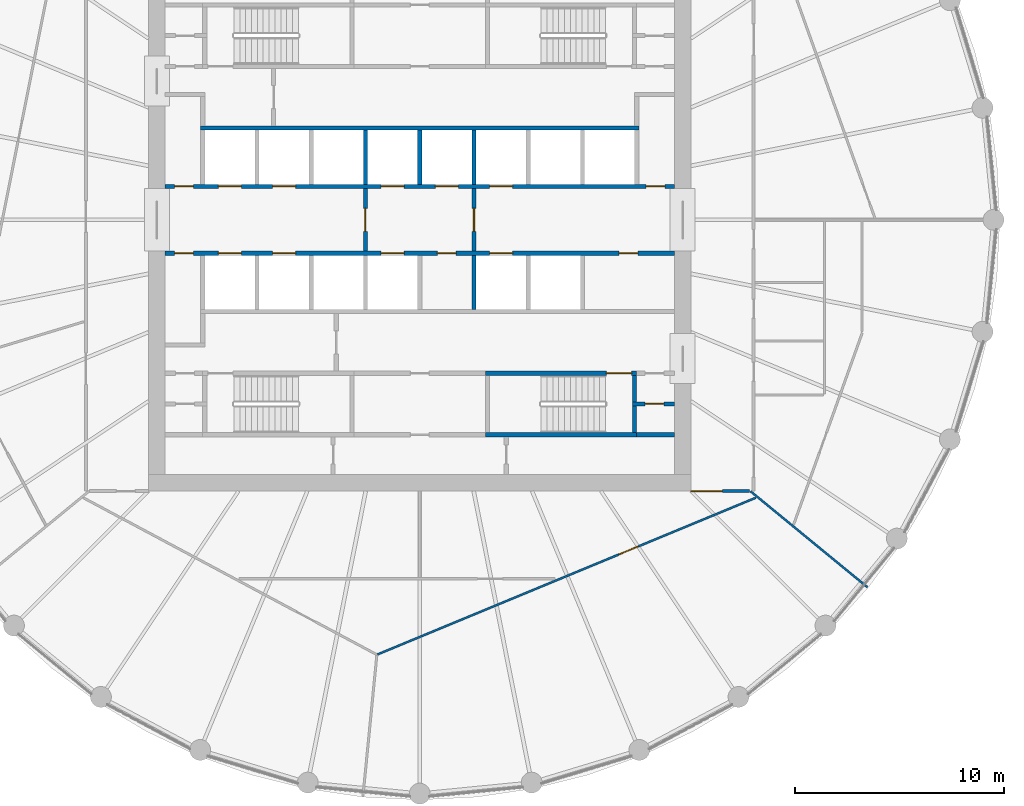
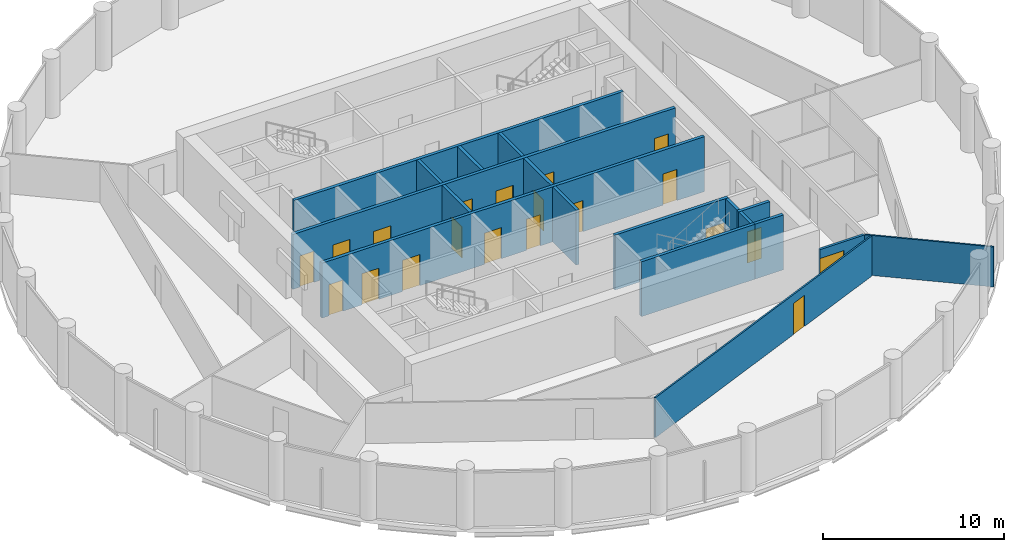
# One storey, part 5 of 8: 20 doors, 18 walls, 20 openings.
"""IFC4 building model written with IfcOpenShell, lengths in metres."""

from ifc_helpers import new_model, si_unit, direction, frame, frame_2d, origin, place, context, subcontext, project, spatial, polyline, rectangle, outline, extrude, material, layer, layer_set, type_object, element, fill, save


model = new_model("IFC4")

# Units and contexts
model_context = context("Model", 3, precision=1e-05, world=origin(), true_north=direction((0.0, 1.0)))
body_context = subcontext(model_context, "Body", "Model", "MODEL_VIEW")
ifc_project = project(units=[si_unit("LENGTHUNIT", "METRE"), si_unit("AREAUNIT", "SQUARE_METRE"), si_unit("VOLUMEUNIT", "CUBIC_METRE"), si_unit("PLANEANGLEUNIT", "RADIAN"), si_unit("MASSUNIT", "GRAM", prefix="KILO")], contexts=[model_context])

# Site, building, storey
site_placement = place(None, origin())
site = spatial("IfcSite", under=ifc_project, at=site_placement, CompositionType="ELEMENT")
building_placement = place(site_placement, origin())
building = spatial("IfcBuilding", under=site, at=building_placement, Name="Corvane Civic Tower", CompositionType="ELEMENT")
storey_placement = place(building_placement, frame((0.0, 0.0, 209.5)))
storey = spatial("IfcBuildingStorey", under=building, at=storey_placement, Name="L49", CompositionType="ELEMENT", Elevation=209.5)

# Wall, opening, door
ifc_material_1 = material(Name="Concrete C30/37", Category="concrete")
ifc_layer_1 = layer(ifc_material_1, 0.199951171875)
ifc_layer_set_1 = layer_set([ifc_layer_1], Name="Concrete C30/37")
wall_type_1 = type_object("IfcWallType", Name="CR-WALL-200", PredefinedType="PARTITIONING", material=ifc_layer_set_1)
wall_1_placement = place(storey_placement, frame((10.199951171875, -8.824951171875, 0.0), z_axis=(0.0, 0.0, 1.0), x_axis=(1.0, 0.0, 0.0)))
wall_1 = element("IfcWall", 1, at=wall_1_placement, inside=storey, type_object=wall_type_1, Name="L49 partition wall", PredefinedType="PARTITIONING", context=body_context, shape_type="SweptSolid", body=[
    extrude(rectangle(XDim=2.0, YDim=0.199951171875, at=frame_2d((1.0, 0.0))), origin(), (0.0, 0.0, 1.0), 3.699951171875),
])
opening_1_placement = place(wall_1_placement, frame((0.60009765625, 0.0, 0.0)))
opening_1 = element("IfcOpeningElement", 2, at=opening_1_placement, cuts=wall_1, Name="Opening L49.C21", PredefinedType="OPENING", context=body_context, shape_type="SweptSolid", body=[
    extrude(rectangle(XDim=0.89990234375, YDim=2.10009765625, at=frame_2d((0.449951171875, 1.050048828125))), frame((0.0, 0.10986328125, 0.0), z_axis=(0.0, -1.0, 0.0), x_axis=(1.0, 0.0, 0.0)), (0.0, 0.0, 1.0), 0.219970703125),
])
ifc_material_2 = material(Name="Steel fire door leaf", Category="steel")
door_type_1 = type_object("IfcDoorType", Name="CR-DOOR-900", OperationType="SINGLE_SWING_LEFT", PredefinedType="DOOR", material=ifc_material_2)
door_1_placement = place(opening_1_placement, origin())
door_1 = element("IfcDoor", 3, at=door_1_placement, inside=storey, type_object=door_type_1, Name="L49 door", OperationType="SINGLE_SWING_LEFT", OverallHeight=2.10009765625, OverallWidth=0.89990234375, PredefinedType="DOOR", context=body_context, shape_type="SweptSolid", body=[
    extrude(rectangle(XDim=0.89990234375, YDim=2.10009765625, at=frame_2d((0.449951171875, 1.050048828125))), frame((0.0, 0.02490234375, 0.0), z_axis=(0.0, -1.0, 0.0), x_axis=(1.0, 0.0, 0.0)), (0.0, 0.0, 1.0), 0.050048828125),
])
fill(opening_1, door_1)

# Wall, openings, doors
wall_2_placement = place(storey_placement, frame((-12.199951171875, -1.60009765625, 0.0), z_axis=(0.0, 0.0, 1.0), x_axis=(1.0, 0.0, 0.0)))
wall_2 = element("IfcWall", 4, at=wall_2_placement, inside=storey, type_object=wall_type_1, Name="L49 lift shaft wall", PredefinedType="PARTITIONING", context=body_context, shape_type="SweptSolid", body=[
    extrude(rectangle(XDim=24.39990234375, YDim=0.199951171875, at=frame_2d((12.199951171875, 0.0))), origin(), (0.0, 0.0, 1.0), 3.699951171875),
])
opening_2_placement = place(wall_2_placement, frame((2.550048828125, 0.0, 0.0)))
opening_2 = element("IfcOpeningElement", 5, at=opening_2_placement, cuts=wall_2, Name="Opening LD", PredefinedType="OPENING", context=body_context, shape_type="SweptSolid", body=[
    extrude(rectangle(XDim=1.10009765625, YDim=2.10009765625, at=frame_2d((0.550048828125, 1.050048828125))), frame((0.0, 0.10986328125, 0.0), z_axis=(0.0, -1.0, 0.0), x_axis=(1.0, 0.0, 0.0)), (0.0, 0.0, 1.0), 0.219970703125),
])
opening_3_placement = place(wall_2_placement, frame((5.14990234375, 0.0, 0.0)))
opening_3 = element("IfcOpeningElement", 6, at=opening_3_placement, cuts=wall_2, Name="Opening LD", PredefinedType="OPENING", context=body_context, shape_type="SweptSolid", body=[
    extrude(rectangle(XDim=1.10009765625, YDim=2.10009765625, at=frame_2d((0.550048828125, 1.050048828125))), frame((0.0, 0.10986328125, 0.0), z_axis=(0.0, -1.0, 0.0), x_axis=(1.0, 0.0, 0.0)), (0.0, 0.0, 1.0), 0.219970703125),
])
opening_4_placement = place(wall_2_placement, frame((10.35009765625, 0.0, 0.0)))
opening_4 = element("IfcOpeningElement", 7, at=opening_4_placement, cuts=wall_2, Name="Opening LD", PredefinedType="OPENING", context=body_context, shape_type="SweptSolid", body=[
    extrude(rectangle(XDim=1.10009765625, YDim=2.10009765625, at=frame_2d((0.550048828125, 1.050048828125))), frame((0.0, 0.10986328125, 0.0), z_axis=(0.0, -1.0, 0.0), x_axis=(1.0, 0.0, 0.0)), (0.0, 0.0, 1.0), 0.219970703125),
])
opening_5_placement = place(wall_2_placement, frame((13.050048828125, 0.0, 0.0)))
opening_5 = element("IfcOpeningElement", 8, at=opening_5_placement, cuts=wall_2, Name="Opening L49.C03", PredefinedType="OPENING", context=body_context, shape_type="SweptSolid", body=[
    extrude(rectangle(XDim=0.89990234375, YDim=2.10009765625, at=frame_2d((0.449951171875, 1.050048828125))), frame((0.0, 0.10986328125, 0.0), z_axis=(0.0, -1.0, 0.0), x_axis=(1.0, 0.0, 0.0)), (0.0, 0.0, 1.0), 0.219970703125),
])
opening_6_placement = place(wall_2_placement, frame((15.550048828125, 0.0, 0.0)))
opening_6 = element("IfcOpeningElement", 9, at=opening_6_placement, cuts=wall_2, Name="Opening LD", PredefinedType="OPENING", context=body_context, shape_type="SweptSolid", body=[
    extrude(rectangle(XDim=1.10009765625, YDim=2.10009765625, at=frame_2d((0.550048828125, 1.050048828125))), frame((0.0, 0.10986328125, 0.0), z_axis=(0.0, -1.0, 0.0), x_axis=(1.0, 0.0, 0.0)), (0.0, 0.0, 1.0), 0.219970703125),
])
opening_7_placement = place(wall_2_placement, frame((0.449951171875, 0.0, 0.0)))
opening_7 = element("IfcOpeningElement", 10, at=opening_7_placement, cuts=wall_2, Name="Opening L49.C04", PredefinedType="OPENING", context=body_context, shape_type="SweptSolid", body=[
    extrude(rectangle(XDim=0.89990234375, YDim=2.10009765625, at=frame_2d((0.449951171875, 1.050048828125))), frame((0.0, 0.10986328125, 0.0), z_axis=(0.0, -1.0, 0.0), x_axis=(1.0, 0.0, 0.0)), (0.0, 0.0, 1.0), 0.219970703125),
])
opening_8_placement = place(wall_2_placement, frame((21.75, 0.0, 0.0)))
opening_8 = element("IfcOpeningElement", 11, at=opening_8_placement, cuts=wall_2, Name="Opening L49.C05", PredefinedType="OPENING", context=body_context, shape_type="SweptSolid", body=[
    extrude(rectangle(XDim=0.89990234375, YDim=2.10009765625, at=frame_2d((0.449951171875, 1.050048828125))), frame((0.0, 0.10986328125, 0.0), z_axis=(0.0, -1.0, 0.0), x_axis=(1.0, 0.0, 0.0)), (0.0, 0.0, 1.0), 0.219970703125),
])
door_2_placement = place(opening_5_placement, origin())
door_2 = element("IfcDoor", 12, at=door_2_placement, inside=storey, type_object=door_type_1, Name="L49 door", OperationType="SINGLE_SWING_LEFT", OverallHeight=2.10009765625, OverallWidth=0.89990234375, PredefinedType="DOOR", context=body_context, shape_type="SweptSolid", body=[
    extrude(rectangle(XDim=0.89990234375, YDim=2.10009765625, at=frame_2d((0.449951171875, 1.050048828125))), frame((0.0, 0.02490234375, 0.0), z_axis=(0.0, -1.0, 0.0), x_axis=(1.0, 0.0, 0.0)), (0.0, 0.0, 1.0), 0.050048828125),
])
fill(opening_5, door_2)
door_3_placement = place(opening_7_placement, origin())
door_3 = element("IfcDoor", 13, at=door_3_placement, inside=storey, type_object=door_type_1, Name="L49 door", OperationType="SINGLE_SWING_LEFT", OverallHeight=2.10009765625, OverallWidth=0.89990234375, PredefinedType="DOOR", context=body_context, shape_type="SweptSolid", body=[
    extrude(rectangle(XDim=0.89990234375, YDim=2.10009765625, at=frame_2d((0.449951171875, 1.050048828125))), frame((0.0, 0.02490234375, 0.0), z_axis=(0.0, -1.0, 0.0), x_axis=(1.0, 0.0, 0.0)), (0.0, 0.0, 1.0), 0.050048828125),
])
fill(opening_7, door_3)
door_4_placement = place(opening_8_placement, origin())
door_4 = element("IfcDoor", 14, at=door_4_placement, inside=storey, type_object=door_type_1, Name="L49 door", OperationType="SINGLE_SWING_LEFT", OverallHeight=2.10009765625, OverallWidth=0.89990234375, PredefinedType="DOOR", context=body_context, shape_type="SweptSolid", body=[
    extrude(rectangle(XDim=0.89990234375, YDim=2.10009765625, at=frame_2d((0.449951171875, 1.050048828125))), frame((0.0, 0.02490234375, 0.0), z_axis=(0.0, -1.0, 0.0), x_axis=(1.0, 0.0, 0.0)), (0.0, 0.0, 1.0), 0.050048828125),
])
fill(opening_8, door_4)
ifc_material_3 = material(Name="Stainless steel 316 door leaves", Category="steel")
door_type_2 = type_object("IfcDoorType", Name="LD", OperationType="DOUBLE_DOOR_SLIDING", PredefinedType="DOOR", material=ifc_material_3)
door_5_placement = place(opening_2_placement, origin())
door_5 = element("IfcDoor", 15, at=door_5_placement, inside=storey, type_object=door_type_2, Name="L49 landing door", OperationType="DOUBLE_DOOR_SLIDING", OverallHeight=2.10009765625, OverallWidth=1.10009765625, PredefinedType="DOOR", context=body_context, shape_type="SweptSolid", body=[
    extrude(rectangle(XDim=1.10009765625, YDim=2.10009765625, at=frame_2d((0.550048828125, 1.050048828125))), frame((0.0, 0.02490234375, 0.0), z_axis=(0.0, -1.0, 0.0), x_axis=(1.0, 0.0, 0.0)), (0.0, 0.0, 1.0), 0.050048828125),
])
fill(opening_2, door_5)
door_6_placement = place(opening_3_placement, origin())
door_6 = element("IfcDoor", 16, at=door_6_placement, inside=storey, type_object=door_type_2, Name="L49 landing door", OperationType="DOUBLE_DOOR_SLIDING", OverallHeight=2.10009765625, OverallWidth=1.10009765625, PredefinedType="DOOR", context=body_context, shape_type="SweptSolid", body=[
    extrude(rectangle(XDim=1.10009765625, YDim=2.10009765625, at=frame_2d((0.550048828125, 1.050048828125))), frame((0.0, 0.02490234375, 0.0), z_axis=(0.0, -1.0, 0.0), x_axis=(1.0, 0.0, 0.0)), (0.0, 0.0, 1.0), 0.050048828125),
])
fill(opening_3, door_6)
door_7_placement = place(opening_4_placement, origin())
door_7 = element("IfcDoor", 17, at=door_7_placement, inside=storey, type_object=door_type_2, Name="L49 landing door", OperationType="DOUBLE_DOOR_SLIDING", OverallHeight=2.10009765625, OverallWidth=1.10009765625, PredefinedType="DOOR", context=body_context, shape_type="SweptSolid", body=[
    extrude(rectangle(XDim=1.10009765625, YDim=2.10009765625, at=frame_2d((0.550048828125, 1.050048828125))), frame((0.0, 0.02490234375, 0.0), z_axis=(0.0, -1.0, 0.0), x_axis=(1.0, 0.0, 0.0)), (0.0, 0.0, 1.0), 0.050048828125),
])
fill(opening_4, door_7)
door_8_placement = place(opening_6_placement, origin())
door_8 = element("IfcDoor", 18, at=door_8_placement, inside=storey, type_object=door_type_2, Name="L49 landing door", OperationType="DOUBLE_DOOR_SLIDING", OverallHeight=2.10009765625, OverallWidth=1.10009765625, PredefinedType="DOOR", context=body_context, shape_type="SweptSolid", body=[
    extrude(rectangle(XDim=1.10009765625, YDim=2.10009765625, at=frame_2d((0.550048828125, 1.050048828125))), frame((0.0, 0.02490234375, 0.0), z_axis=(0.0, -1.0, 0.0), x_axis=(1.0, 0.0, 0.0)), (0.0, 0.0, 1.0), 0.050048828125),
])
fill(opening_6, door_8)

wall_3_placement = place(storey_placement, frame((-12.199951171875, 1.60009765625, 0.0), z_axis=(0.0, 0.0, 1.0), x_axis=(1.0, 0.0, 0.0)))
wall_3 = element("IfcWall", 19, at=wall_3_placement, inside=storey, type_object=wall_type_1, Name="L49 lift shaft wall", PredefinedType="PARTITIONING", context=body_context, shape_type="SweptSolid", body=[
    extrude(rectangle(XDim=24.39990234375, YDim=0.199951171875, at=frame_2d((12.199951171875, 0.0))), origin(), (0.0, 0.0, 1.0), 3.699951171875),
])
opening_9_placement = place(wall_3_placement, frame((2.550048828125, 0.0, 0.0)))
opening_9 = element("IfcOpeningElement", 20, at=opening_9_placement, cuts=wall_3, Name="Opening LD", PredefinedType="OPENING", context=body_context, shape_type="SweptSolid", body=[
    extrude(rectangle(XDim=1.10009765625, YDim=2.10009765625, at=frame_2d((0.550048828125, 1.050048828125))), frame((0.0, 0.10986328125, 0.0), z_axis=(0.0, -1.0, 0.0), x_axis=(1.0, 0.0, 0.0)), (0.0, 0.0, 1.0), 0.219970703125),
])
opening_10_placement = place(wall_3_placement, frame((5.14990234375, 0.0, 0.0)))
opening_10 = element("IfcOpeningElement", 21, at=opening_10_placement, cuts=wall_3, Name="Opening LD", PredefinedType="OPENING", context=body_context, shape_type="SweptSolid", body=[
    extrude(rectangle(XDim=1.10009765625, YDim=2.10009765625, at=frame_2d((0.550048828125, 1.050048828125))), frame((0.0, 0.10986328125, 0.0), z_axis=(0.0, -1.0, 0.0), x_axis=(1.0, 0.0, 0.0)), (0.0, 0.0, 1.0), 0.219970703125),
])
opening_11_placement = place(wall_3_placement, frame((10.35009765625, 0.0, 0.0)))
opening_11 = element("IfcOpeningElement", 22, at=opening_11_placement, cuts=wall_3, Name="Opening LD", PredefinedType="OPENING", context=body_context, shape_type="SweptSolid", body=[
    extrude(rectangle(XDim=1.10009765625, YDim=2.10009765625, at=frame_2d((0.550048828125, 1.050048828125))), frame((0.0, 0.10986328125, 0.0), z_axis=(0.0, -1.0, 0.0), x_axis=(1.0, 0.0, 0.0)), (0.0, 0.0, 1.0), 0.219970703125),
])
opening_12_placement = place(wall_3_placement, frame((12.949951171875, 0.0, 0.0)))
opening_12 = element("IfcOpeningElement", 23, at=opening_12_placement, cuts=wall_3, Name="Opening LD", PredefinedType="OPENING", context=body_context, shape_type="SweptSolid", body=[
    extrude(rectangle(XDim=1.10009765625, YDim=2.10009765625, at=frame_2d((0.550048828125, 1.050048828125))), frame((0.0, 0.10986328125, 0.0), z_axis=(0.0, -1.0, 0.0), x_axis=(1.0, 0.0, 0.0)), (0.0, 0.0, 1.0), 0.219970703125),
])
opening_13_placement = place(wall_3_placement, frame((15.550048828125, 0.0, 0.0)))
opening_13 = element("IfcOpeningElement", 24, at=opening_13_placement, cuts=wall_3, Name="Opening LD", PredefinedType="OPENING", context=body_context, shape_type="SweptSolid", body=[
    extrude(rectangle(XDim=1.10009765625, YDim=2.10009765625, at=frame_2d((0.550048828125, 1.050048828125))), frame((0.0, 0.10986328125, 0.0), z_axis=(0.0, -1.0, 0.0), x_axis=(1.0, 0.0, 0.0)), (0.0, 0.0, 1.0), 0.219970703125),
])
opening_14_placement = place(wall_3_placement, frame((0.449951171875, 0.0, 0.0)))
opening_14 = element("IfcOpeningElement", 25, at=opening_14_placement, cuts=wall_3, Name="Opening L49.C01", PredefinedType="OPENING", context=body_context, shape_type="SweptSolid", body=[
    extrude(rectangle(XDim=0.89990234375, YDim=2.10009765625, at=frame_2d((0.449951171875, 1.050048828125))), frame((0.0, 0.10986328125, 0.0), z_axis=(0.0, -1.0, 0.0), x_axis=(1.0, 0.0, 0.0)), (0.0, 0.0, 1.0), 0.219970703125),
])
opening_15_placement = place(wall_3_placement, frame((23.050048828125, 0.0, 0.0)))
opening_15 = element("IfcOpeningElement", 26, at=opening_15_placement, cuts=wall_3, Name="Opening L49.C02", PredefinedType="OPENING", context=body_context, shape_type="SweptSolid", body=[
    extrude(rectangle(XDim=0.89990234375, YDim=2.10009765625, at=frame_2d((0.449951171875, 1.050048828125))), frame((0.0, 0.10986328125, 0.0), z_axis=(0.0, -1.0, 0.0), x_axis=(1.0, 0.0, 0.0)), (0.0, 0.0, 1.0), 0.219970703125),
])
door_9_placement = place(opening_14_placement, origin())
door_9 = element("IfcDoor", 27, at=door_9_placement, inside=storey, type_object=door_type_1, Name="L49 door", OperationType="SINGLE_SWING_LEFT", OverallHeight=2.10009765625, OverallWidth=0.89990234375, PredefinedType="DOOR", context=body_context, shape_type="SweptSolid", body=[
    extrude(rectangle(XDim=0.89990234375, YDim=2.10009765625, at=frame_2d((0.449951171875, 1.050048828125))), frame((0.0, 0.02490234375, 0.0), z_axis=(0.0, -1.0, 0.0), x_axis=(1.0, 0.0, 0.0)), (0.0, 0.0, 1.0), 0.050048828125),
])
fill(opening_14, door_9)
door_10_placement = place(opening_15_placement, origin())
door_10 = element("IfcDoor", 28, at=door_10_placement, inside=storey, type_object=door_type_1, Name="L49 door", OperationType="SINGLE_SWING_LEFT", OverallHeight=2.10009765625, OverallWidth=0.89990234375, PredefinedType="DOOR", context=body_context, shape_type="SweptSolid", body=[
    extrude(rectangle(XDim=0.89990234375, YDim=2.10009765625, at=frame_2d((0.449951171875, 1.050048828125))), frame((0.0, 0.02490234375, 0.0), z_axis=(0.0, -1.0, 0.0), x_axis=(1.0, 0.0, 0.0)), (0.0, 0.0, 1.0), 0.050048828125),
])
fill(opening_15, door_10)
door_11_placement = place(opening_9_placement, origin())
door_11 = element("IfcDoor", 29, at=door_11_placement, inside=storey, type_object=door_type_2, Name="L49 landing door", OperationType="DOUBLE_DOOR_SLIDING", OverallHeight=2.10009765625, OverallWidth=1.10009765625, PredefinedType="DOOR", context=body_context, shape_type="SweptSolid", body=[
    extrude(rectangle(XDim=1.10009765625, YDim=2.10009765625, at=frame_2d((0.550048828125, 1.050048828125))), frame((0.0, 0.02490234375, 0.0), z_axis=(0.0, -1.0, 0.0), x_axis=(1.0, 0.0, 0.0)), (0.0, 0.0, 1.0), 0.050048828125),
])
fill(opening_9, door_11)
door_12_placement = place(opening_10_placement, origin())
door_12 = element("IfcDoor", 30, at=door_12_placement, inside=storey, type_object=door_type_2, Name="L49 landing door", OperationType="DOUBLE_DOOR_SLIDING", OverallHeight=2.10009765625, OverallWidth=1.10009765625, PredefinedType="DOOR", context=body_context, shape_type="SweptSolid", body=[
    extrude(rectangle(XDim=1.10009765625, YDim=2.10009765625, at=frame_2d((0.550048828125, 1.050048828125))), frame((0.0, 0.02490234375, 0.0), z_axis=(0.0, -1.0, 0.0), x_axis=(1.0, 0.0, 0.0)), (0.0, 0.0, 1.0), 0.050048828125),
])
fill(opening_10, door_12)
door_13_placement = place(opening_11_placement, origin())
door_13 = element("IfcDoor", 31, at=door_13_placement, inside=storey, type_object=door_type_2, Name="L49 landing door", OperationType="DOUBLE_DOOR_SLIDING", OverallHeight=2.10009765625, OverallWidth=1.10009765625, PredefinedType="DOOR", context=body_context, shape_type="SweptSolid", body=[
    extrude(rectangle(XDim=1.10009765625, YDim=2.10009765625, at=frame_2d((0.550048828125, 1.050048828125))), frame((0.0, 0.02490234375, 0.0), z_axis=(0.0, -1.0, 0.0), x_axis=(1.0, 0.0, 0.0)), (0.0, 0.0, 1.0), 0.050048828125),
])
fill(opening_11, door_13)
door_14_placement = place(opening_12_placement, origin())
door_14 = element("IfcDoor", 32, at=door_14_placement, inside=storey, type_object=door_type_2, Name="L49 landing door", OperationType="DOUBLE_DOOR_SLIDING", OverallHeight=2.10009765625, OverallWidth=1.10009765625, PredefinedType="DOOR", context=body_context, shape_type="SweptSolid", body=[
    extrude(rectangle(XDim=1.10009765625, YDim=2.10009765625, at=frame_2d((0.550048828125, 1.050048828125))), frame((0.0, 0.02490234375, 0.0), z_axis=(0.0, -1.0, 0.0), x_axis=(1.0, 0.0, 0.0)), (0.0, 0.0, 1.0), 0.050048828125),
])
fill(opening_12, door_14)
door_15_placement = place(opening_13_placement, origin())
door_15 = element("IfcDoor", 33, at=door_15_placement, inside=storey, type_object=door_type_2, Name="L49 landing door", OperationType="DOUBLE_DOOR_SLIDING", OverallHeight=2.10009765625, OverallWidth=1.10009765625, PredefinedType="DOOR", context=body_context, shape_type="SweptSolid", body=[
    extrude(rectangle(XDim=1.10009765625, YDim=2.10009765625, at=frame_2d((0.550048828125, 1.050048828125))), frame((0.0, 0.02490234375, 0.0), z_axis=(0.0, -1.0, 0.0), x_axis=(1.0, 0.0, 0.0)), (0.0, 0.0, 1.0), 0.050048828125),
])
fill(opening_13, door_15)

# Wall, opening, door
wall_4_placement = place(storey_placement, frame((-2.60009765625, -1.5, 0.0), z_axis=(0.0, 0.0, 1.0), x_axis=(0.0, 1.0, 0.0)))
wall_4 = element("IfcWall", 34, at=wall_4_placement, inside=storey, type_object=wall_type_1, Name="L49 firefighting lobby wall", PredefinedType="PARTITIONING", context=body_context, shape_type="SweptSolid", body=[
    extrude(rectangle(XDim=3.0, YDim=0.199951171875, at=frame_2d((1.5, 0.0))), origin(), (0.0, 0.0, 1.0), 3.699951171875),
])
opening_16_placement = place(wall_4_placement, frame((0.949951171875, 0.0, 0.0)))
opening_16 = element("IfcOpeningElement", 35, at=opening_16_placement, cuts=wall_4, Name="Opening L49.C26", PredefinedType="OPENING", context=body_context, shape_type="SweptSolid", body=[
    extrude(rectangle(XDim=1.10009765625, YDim=2.10009765625, at=frame_2d((0.550048828125, 1.050048828125))), frame((0.0, 0.10986328125, 0.0), z_axis=(0.0, -1.0, 0.0), x_axis=(1.0, 0.0, 0.0)), (0.0, 0.0, 1.0), 0.219970703125),
])
ifc_material_4 = material(Name="Steel fire door leaf", Category="steel")
door_type_3 = type_object("IfcDoorType", Name="CR-DOOR-FFL-1100", OperationType="SINGLE_SWING_LEFT", PredefinedType="DOOR", material=ifc_material_4)
door_16_placement = place(opening_16_placement, origin())
door_16 = element("IfcDoor", 36, at=door_16_placement, inside=storey, type_object=door_type_3, Name="L49 lobby door", OperationType="SINGLE_SWING_LEFT", OverallHeight=2.10009765625, OverallWidth=1.10009765625, PredefinedType="DOOR", context=body_context, shape_type="SweptSolid", body=[
    extrude(rectangle(XDim=1.10009765625, YDim=2.10009765625, at=frame_2d((0.550048828125, 1.050048828125))), frame((0.0, 0.02490234375, 0.0), z_axis=(0.0, -1.0, 0.0), x_axis=(1.0, 0.0, 0.0)), (0.0, 0.0, 1.0), 0.050048828125),
])
fill(opening_16, door_16)

wall_5_placement = place(storey_placement, frame((2.60009765625, -1.5, 0.0), z_axis=(0.0, 0.0, 1.0), x_axis=(0.0, 1.0, 0.0)))
wall_5 = element("IfcWall", 37, at=wall_5_placement, inside=storey, type_object=wall_type_1, Name="L49 firefighting lobby wall", PredefinedType="PARTITIONING", context=body_context, shape_type="SweptSolid", body=[
    extrude(rectangle(XDim=3.0, YDim=0.199951171875, at=frame_2d((1.5, 0.0))), origin(), (0.0, 0.0, 1.0), 3.699951171875),
])
opening_17_placement = place(wall_5_placement, frame((0.949951171875, 0.0, 0.0)))
opening_17 = element("IfcOpeningElement", 38, at=opening_17_placement, cuts=wall_5, Name="Opening L49.C27", PredefinedType="OPENING", context=body_context, shape_type="SweptSolid", body=[
    extrude(rectangle(XDim=1.10009765625, YDim=2.10009765625, at=frame_2d((0.550048828125, 1.050048828125))), frame((0.0, 0.10986328125, 0.0), z_axis=(0.0, -1.0, 0.0), x_axis=(1.0, 0.0, 0.0)), (0.0, 0.0, 1.0), 0.219970703125),
])
door_17_placement = place(opening_17_placement, origin())
door_17 = element("IfcDoor", 39, at=door_17_placement, inside=storey, type_object=door_type_3, Name="L49 lobby door", OperationType="SINGLE_SWING_LEFT", OverallHeight=2.10009765625, OverallWidth=1.10009765625, PredefinedType="DOOR", context=body_context, shape_type="SweptSolid", body=[
    extrude(rectangle(XDim=1.10009765625, YDim=2.10009765625, at=frame_2d((0.550048828125, 1.050048828125))), frame((0.0, 0.02490234375, 0.0), z_axis=(0.0, -1.0, 0.0), x_axis=(1.0, 0.0, 0.0)), (0.0, 0.0, 1.0), 0.050048828125),
])
fill(opening_17, door_17)

# Walls
wall_6_placement = place(storey_placement, origin())
element("IfcWall", 40, at=wall_6_placement, inside=storey, type_object=wall_type_1, Name="L49 core partition wall", PredefinedType="PARTITIONING", context=body_context, shape_type="SweptSolid", body=[
    extrude(outline(polyline([(2.699951171875, -1.699951171875), (2.699951171875, -4.2998046875), (2.5, -4.2998046875), (2.5, -1.699951171875), (2.699951171875, -1.699951171875)])), origin(), (0.0, 0.0, 1.0), 3.699951171875),
])
wall_7_placement = place(storey_placement, origin())
element("IfcWall", 41, at=wall_7_placement, inside=storey, type_object=wall_type_1, Name="L49 core partition wall", PredefinedType="PARTITIONING", context=body_context, shape_type="SweptSolid", body=[
    extrude(outline(polyline([(10.5, 4.5), (10.5, 4.300048828125), (-10.5, 4.300048828125), (-10.5, 4.5), (10.5, 4.5)])), origin(), (0.0, 0.0, 1.0), 3.699951171875),
])
wall_8_placement = place(storey_placement, origin())
element("IfcWall", 42, at=wall_8_placement, inside=storey, type_object=wall_type_1, Name="L49 core partition wall", PredefinedType="PARTITIONING", context=body_context, shape_type="SweptSolid", body=[
    extrude(outline(polyline([(-2.5, 1.699951171875), (-2.699951171875, 1.699951171875), (-2.699951171875, 4.2998046875), (-2.5, 4.2998046875), (-2.5, 1.699951171875)])), origin(), (0.0, 0.0, 1.0), 3.699951171875),
])
wall_9_placement = place(storey_placement, origin())
element("IfcWall", 43, at=wall_9_placement, inside=storey, type_object=wall_type_1, Name="L49 core partition wall", PredefinedType="PARTITIONING", context=body_context, shape_type="SweptSolid", body=[
    extrude(outline(polyline([(2.699951171875, 1.699951171875), (2.5, 1.699951171875), (2.5, 4.2998046875), (2.699951171875, 4.2998046875), (2.699951171875, 1.699951171875)])), origin(), (0.0, 0.0, 1.0), 3.699951171875),
])
wall_10_placement = place(storey_placement, origin())
element("IfcWall", 44, at=wall_10_placement, inside=storey, type_object=wall_type_1, Name="L49 core partition wall", PredefinedType="PARTITIONING", context=body_context, shape_type="SweptSolid", body=[
    extrude(outline(polyline([(0.10009765625, 1.699951171875), (-0.10009765625, 1.699951171875), (-0.10009765625, 4.2998046875), (0.10009765625, 4.2998046875), (0.10009765625, 1.699951171875)])), origin(), (0.0, 0.0, 1.0), 3.699951171875),
])
wall_11_placement = place(storey_placement, origin())
element("IfcWall", 45, at=wall_11_placement, inside=storey, type_object=wall_type_1, Name="L49 core partition wall", PredefinedType="PARTITIONING", context=body_context, shape_type="SweptSolid", body=[
    extrude(outline(polyline([(12.199951171875, -10.39990234375), (10.39990234375, -10.39990234375), (10.39990234375, -10.199951171875), (12.199951171875, -10.199951171875), (12.199951171875, -10.39990234375)])), origin(), (0.0, 0.0, 1.0), 3.699951171875),
])

# Wall, opening, door
ifc_material_5 = material(Name="Plasterboard")
ifc_layer_2 = layer(ifc_material_5, 0.10009765625)
ifc_layer_set_2 = layer_set([ifc_layer_2], Name="Plasterboard")
wall_type_2 = type_object("IfcWallType", Name="Partition 100 plasterboard on studs", PredefinedType="PARTITIONING", material=ifc_layer_set_2)
wall_12_placement = place(storey_placement, frame((-2.02490234375, -20.82958984375, 0.0), z_axis=(0.0, 0.0, 1.0), x_axis=(0.923880713977, 0.382680580043, 0.0)))
wall_12 = element("IfcWall", 46, at=wall_12_placement, inside=storey, type_object=wall_type_2, Name="Partition L49.003", PredefinedType="PARTITIONING", context=body_context, shape_type="SweptSolid", body=[
    extrude(rectangle(XDim=19.63037109375, YDim=0.10009765625, at=frame_2d((9.815185546875, 0.0))), origin(), (0.0, 0.0, 1.0), 2.699951171875),
])
opening_18_placement = place(wall_12_placement, frame((12.520263671875, 0.0, 0.0)))
opening_18 = element("IfcOpeningElement", 47, at=opening_18_placement, cuts=wall_12, Name="Opening L49.002", PredefinedType="OPENING", context=body_context, shape_type="SweptSolid", body=[
    extrude(rectangle(XDim=1.0, YDim=2.10009765625, at=frame_2d((0.5, 1.050048828125))), frame((0.0, 0.06005859375, 0.0), z_axis=(0.0, -1.0, 0.0), x_axis=(1.0, 0.0, 0.0)), (0.0, 0.0, 1.0), 0.1201171875),
])
ifc_material_6 = material(Name="Timber", Category="wood")
door_type_4 = type_object("IfcDoorType", Name="Single door 1000", OperationType="NOTDEFINED", PredefinedType="DOOR", material=ifc_material_6)
door_18_placement = place(opening_18_placement, frame((1.0, 0.0, 0.0), z_axis=(0.0, 0.0, 1.0), x_axis=(-1.0, 0.0, 0.0)))
door_18 = element("IfcDoor", 48, at=door_18_placement, inside=storey, type_object=door_type_4, Name="Door L49.002", OperationType="SINGLE_SWING_LEFT", OverallHeight=2.10009765625, OverallWidth=1.0, PredefinedType="DOOR", context=body_context, shape_type="SweptSolid", body=[
    extrude(rectangle(XDim=1.0, YDim=2.10009765625, at=frame_2d((0.5, 1.050048828125))), frame((0.0, 0.02490234375, 0.0), z_axis=(0.0, -1.0, 0.0), x_axis=(1.0, 0.0, 0.0)), (0.0, 0.0, 1.0), 0.050048828125),
])
fill(opening_18, door_18)

# Wall
wall_13_placement = place(storey_placement, frame((15.8544921875, -13.01123046875, 0.0), z_axis=(0.0, 0.0, 1.0), x_axis=(0.772997895748, -0.634408585352, 0.0)))
element("IfcWall", 49, at=wall_13_placement, inside=storey, type_object=wall_type_2, Name="Partition L49.005", PredefinedType="PARTITIONING", context=body_context, shape_type="SweptSolid", body=[
    extrude(rectangle(XDim=7.240234375, YDim=0.10009765625, at=frame_2d((3.6201171875, 0.0))), origin(), (0.0, 0.0, 1.0), 2.699951171875),
])

# Wall, opening, door
ifc_material_7 = material(Name="Concrete C50/60", Category="concrete")
ifc_layer_3 = layer(ifc_material_7, 0.199951171875)
ifc_layer_set_3 = layer_set([ifc_layer_3], Name="Concrete C50/60")
wall_type_3 = type_object("IfcWallType", Name="ST-WALL-200", PredefinedType="SHEAR", material=ifc_layer_set_3)
wall_14_placement = place(storey_placement, frame((3.14990234375, -7.35009765625, 0.0), z_axis=(0.0, 0.0, 1.0), x_axis=(1.0, 0.0, 0.0)))
wall_14 = element("IfcWall", 50, at=wall_14_placement, inside=storey, type_object=wall_type_3, Name="L49 stair enclosure wall", PredefinedType="SHEAR", context=body_context, shape_type="SweptSolid", body=[
    extrude(rectangle(XDim=7.25, YDim=0.199951171875, at=frame_2d((3.625, 0.0))), origin(), (0.0, 0.0, 1.0), 3.699951171875),
])
opening_19_placement = place(wall_14_placement, frame((5.800048828125, 0.0, 0.0)))
opening_19 = element("IfcOpeningElement", 51, at=opening_19_placement, cuts=wall_14, Name="Opening L49.C24", PredefinedType="OPENING", context=body_context, shape_type="SweptSolid", body=[
    extrude(rectangle(XDim=1.199951171875, YDim=2.10009765625, at=frame_2d((0.60009765625, 1.050048828125))), frame((0.0, 0.10986328125, 0.0), z_axis=(0.0, -1.0, 0.0), x_axis=(1.0, 0.0, 0.0)), (0.0, 0.0, 1.0), 0.219970703125),
])
ifc_material_8 = material(Name="Steel fire door leaf", Category="steel")
door_type_5 = type_object("IfcDoorType", Name="ST-DOOR-1200", OperationType="SINGLE_SWING_RIGHT", PredefinedType="DOOR", material=ifc_material_8)
door_19_placement = place(opening_19_placement, origin())
door_19 = element("IfcDoor", 52, at=door_19_placement, inside=storey, type_object=door_type_5, Name="L49 stair door", OperationType="SINGLE_SWING_RIGHT", OverallHeight=2.10009765625, OverallWidth=1.199951171875, PredefinedType="DOOR", context=body_context, shape_type="SweptSolid", body=[
    extrude(rectangle(XDim=1.199951171875, YDim=2.10009765625, at=frame_2d((0.60009765625, 1.050048828125))), frame((0.0, 0.02490234375, 0.0), z_axis=(0.0, -1.0, 0.0), x_axis=(1.0, 0.0, 0.0)), (0.0, 0.0, 1.0), 0.050048828125),
])
fill(opening_19, door_19)

# Walls
wall_15_placement = place(storey_placement, origin())
element("IfcWall", 53, at=wall_15_placement, inside=storey, type_object=wall_type_3, Name="L49 stair enclosure wall", PredefinedType="SHEAR", context=body_context, shape_type="SweptSolid", body=[
    extrude(outline(polyline([(10.39990234375, -10.39990234375), (3.14990234375, -10.39990234375), (3.14990234375, -10.199951171875), (10.39990234375, -10.199951171875), (10.39990234375, -10.39990234375)])), origin(), (0.0, 0.0, 1.0), 3.699951171875),
])
wall_16_placement = place(storey_placement, origin())
element("IfcWall", 54, at=wall_16_placement, inside=storey, type_object=wall_type_3, Name="L49 stair enclosure wall", PredefinedType="SHEAR", context=body_context, shape_type="SweptSolid", body=[
    extrude(outline(polyline([(10.39990234375, -7.449951171875), (10.39990234375, -8.72509765625), (10.199951171875, -8.72509765625), (10.199951171875, -7.449951171875), (10.39990234375, -7.449951171875)])), origin(), (0.0, 0.0, 1.0), 3.699951171875),
])
wall_17_placement = place(storey_placement, origin())
element("IfcWall", 55, at=wall_17_placement, inside=storey, type_object=wall_type_3, Name="L49 stair enclosure wall", PredefinedType="SHEAR", context=body_context, shape_type="SweptSolid", body=[
    extrude(outline(polyline([(10.39990234375, -8.925048828125), (10.39990234375, -10.199951171875), (10.199951171875, -10.199951171875), (10.199951171875, -8.925048828125), (10.39990234375, -8.925048828125)])), origin(), (0.0, 0.0, 1.0), 3.699951171875),
])

# Wall, opening, door
ifc_material_9 = material(Name="Plasterboard")
ifc_layer_4 = layer(ifc_material_9, 0.14990234375)
ifc_layer_set_4 = layer_set([ifc_layer_4], Name="Plasterboard")
wall_type_4 = type_object("IfcWallType", Name="Tenancy wall 150 EI 60", PredefinedType="PARTITIONING", material=ifc_layer_set_4)
wall_18_placement = place(storey_placement, frame((12.989990234375, -13.0, 0.0), z_axis=(0.0, 0.0, 1.0), x_axis=(1.0, 0.0, 0.0)))
wall_18 = element("IfcWall", 56, at=wall_18_placement, inside=storey, type_object=wall_type_4, Name="Partition L49.012", PredefinedType="PARTITIONING", context=body_context, shape_type="SweptSolid", body=[
    extrude(rectangle(XDim=2.82373046875, YDim=0.14990234375, at=frame_2d((1.411865234375, 0.0))), origin(), (0.0, 0.0, 1.0), 2.699951171875),
])
opening_20_placement = place(wall_18_placement, frame((0.010009765625, 0.0, 0.0)))
opening_20 = element("IfcOpeningElement", 57, at=opening_20_placement, cuts=wall_18, Name="Opening L49.005", PredefinedType="OPENING", context=body_context, shape_type="SweptSolid", body=[
    extrude(rectangle(XDim=1.5, YDim=2.10009765625, at=frame_2d((0.75, 1.050048828125))), frame((0.0, 0.0849609375, 0.0), z_axis=(0.0, -1.0, 0.0), x_axis=(1.0, 0.0, 0.0)), (0.0, 0.0, 1.0), 0.169921875),
])
ifc_material_10 = material(Name="Steel and timber", Category="steel")
door_type_6 = type_object("IfcDoorType", Name="Fire door FD60 double 1500", OperationType="NOTDEFINED", PredefinedType="DOOR", material=ifc_material_10)
door_20_placement = place(opening_20_placement, frame((1.5, 0.0, 0.0), z_axis=(0.0, 0.0, 1.0), x_axis=(-1.0, 0.0, 0.0)))
door_20 = element("IfcDoor", 58, at=door_20_placement, inside=storey, type_object=door_type_6, Name="Door L49.005", OperationType="DOUBLE_DOOR_SINGLE_SWING", OverallHeight=2.10009765625, OverallWidth=1.5, PredefinedType="DOOR", context=body_context, shape_type="SweptSolid", body=[
    extrude(rectangle(XDim=1.5, YDim=2.10009765625, at=frame_2d((0.75, 1.050048828125))), frame((0.0, 0.02490234375, 0.0), z_axis=(0.0, -1.0, 0.0), x_axis=(1.0, 0.0, 0.0)), (0.0, 0.0, 1.0), 0.050048828125),
])
fill(opening_20, door_20)

save(model, "model.ifc")
